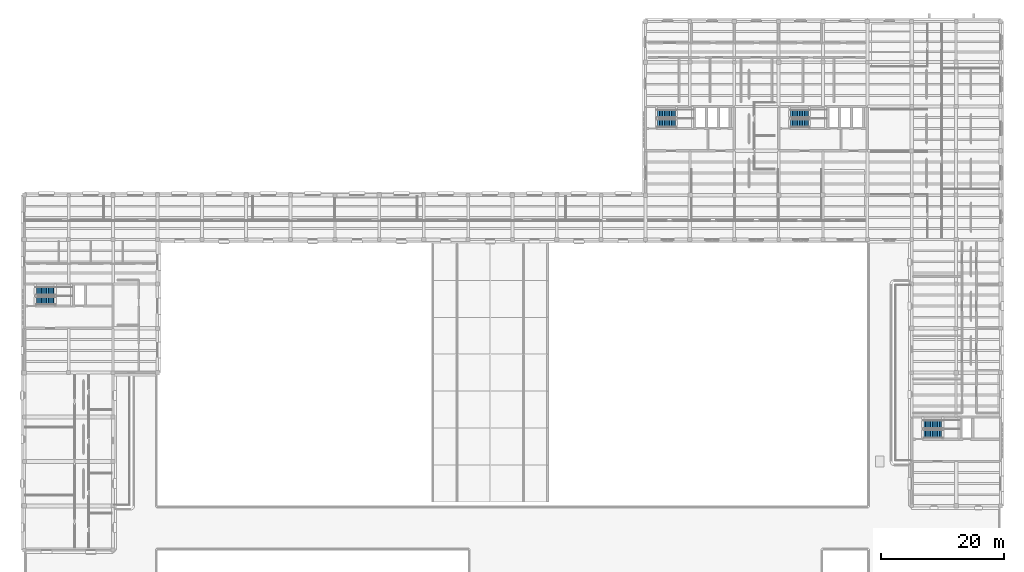
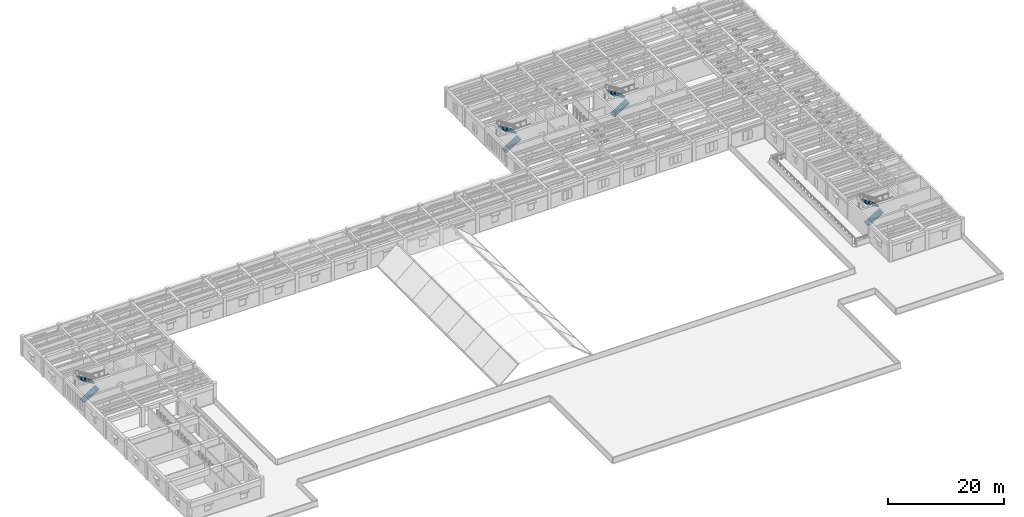
# One storey, part 30 of 40: 8 stair flights, 4 elements without a shape of their own.
"""IFC4 building model written with IfcOpenShell, lengths in metres."""

from ifc_helpers import new_model, si_unit, direction, frame, origin, place, context, subcontext, project, spatial, polyline, outline, extrude, material, type_object, element, aggregate, save


model = new_model("IFC4")

# Units and contexts
model_context = context("Model", 3, precision=1e-05, world=origin(), true_north=direction((0.0, 1.0)))
body_context = subcontext(model_context, "Body", "Model", "MODEL_VIEW")
ifc_project = project(units=[si_unit("LENGTHUNIT", "METRE"), si_unit("AREAUNIT", "SQUARE_METRE"), si_unit("VOLUMEUNIT", "CUBIC_METRE"), si_unit("PLANEANGLEUNIT", "RADIAN"), si_unit("MASSUNIT", "GRAM", prefix="KILO")], contexts=[model_context])

# Site, building, storey
site_placement = place(None, origin())
site = spatial("IfcSite", under=ifc_project, at=site_placement, CompositionType="ELEMENT")
building_placement = place(site_placement, origin())
building = spatial("IfcBuilding", under=site, at=building_placement, Name="Mithqara Police Headquarters", CompositionType="ELEMENT")
storey_placement = place(building_placement, frame((0.0, 0.0, 13.800048828125)))
storey = spatial("IfcBuildingStorey", under=building, at=storey_placement, Name="L03", CompositionType="ELEMENT", Elevation=13.800048828125)

# Stair, stair flights
ifc_material = material(Name="Concrete C40/50", Category="concrete")
stair_type_1 = type_object("IfcStairType", Name="STAIR ST 01-R24", PredefinedType="HALF_TURN_STAIR", material=ifc_material)
stair_1_placement = place(storey_placement, origin())
stair_1 = element("IfcStair", 1, at=stair_1_placement, inside=storey, type_object=stair_type_1, Name="L03 Core C1 Command West Exit Stair", PredefinedType="HALF_TURN_STAIR")
stair_flight_type_1 = type_object("IfcStairFlightType", Name="STAIR FLIGHT ST 01 F R12", PredefinedType="STRAIGHT", material=ifc_material)
stair_flight_1_placement = place(storey_placement, frame((110.550048828125, 97.47509765625, 0.0), z_axis=(0.0, 0.0, 1.0), x_axis=(1.0, 0.0, 0.0)))
stair_flight_1 = element("IfcStairFlight", 2, at=stair_flight_1_placement, type_object=stair_flight_type_1, Name="ST-01 flight 1", NumberOfRisers=12, NumberOfTreads=11, PredefinedType="STRAIGHT", RiserHeight=0.175, TreadLength=0.28, context=body_context, shape_type="SweptSolid", body=[
    extrude(outline(polyline([(0.0, 0.0), (0.0, 0.175048828125), (0.280029296875, 0.175048828125), (0.280029296875, 0.35009765625), (0.56005859375, 0.35009765625), (0.56005859375, 0.52490234375), (0.840087890625, 0.52490234375), (0.840087890625, 0.699951171875), (1.1201171875, 0.699951171875), (1.1201171875, 0.875), (1.39990234375, 0.875), (1.39990234375, 1.050048828125), (1.679931640625, 1.050048828125), (1.679931640625, 1.22509765625), (1.9599609375, 1.22509765625), (1.9599609375, 1.39990234375), (2.239990234375, 1.39990234375), (2.239990234375, 1.574951171875), (2.52001953125, 1.574951171875), (2.52001953125, 1.75), (2.800048828125, 1.75), (2.800048828125, 1.925048828125), (3.080078125, 1.925048828125), (3.080078125, 2.10009765625), (3.080078125, 1.748291015625), (0.28271484375, 0.0), (0.0, 0.0)])), frame((0.0, 0.675048828125, 0.0), z_axis=(0.0, -1.0, 0.0), x_axis=(1.0, 0.0, 0.0)), (0.0, 0.0, 1.0), 1.35009765625),
])
stair_flight_2_placement = place(storey_placement, frame((113.6298828125, 99.02490234375, 2.099853515625), z_axis=(0.0, 0.0, 1.0), x_axis=(-1.0, 0.0, 0.0)))
stair_flight_2 = element("IfcStairFlight", 3, at=stair_flight_2_placement, type_object=stair_flight_type_1, Name="ST-01 flight 2", NumberOfRisers=12, NumberOfTreads=11, PredefinedType="STRAIGHT", RiserHeight=0.175, TreadLength=0.28, context=body_context, shape_type="SweptSolid", body=[
    extrude(outline(polyline([(0.0, 0.0), (0.0, 0.175048828125), (0.280029296875, 0.175048828125), (0.280029296875, 0.35009765625), (0.56005859375, 0.35009765625), (0.56005859375, 0.52490234375), (0.840087890625, 0.52490234375), (0.840087890625, 0.699951171875), (1.1201171875, 0.699951171875), (1.1201171875, 0.875), (1.39990234375, 0.875), (1.39990234375, 1.050048828125), (1.679931640625, 1.050048828125), (1.679931640625, 1.22509765625), (1.9599609375, 1.22509765625), (1.9599609375, 1.39990234375), (2.239990234375, 1.39990234375), (2.239990234375, 1.574951171875), (2.52001953125, 1.574951171875), (2.52001953125, 1.75), (2.800048828125, 1.75), (2.800048828125, 1.925048828125), (3.080078125, 1.925048828125), (3.080078125, 2.10009765625), (3.080078125, 1.748291015625), (0.28271484375, 0.0), (0.0, 0.0)])), frame((0.0, 0.675048828125, 0.0), z_axis=(0.0, -1.0, 0.0), x_axis=(1.0, 0.0, 0.0)), (0.0, 0.0, 1.0), 1.35009765625),
])
aggregate(stair_1, [stair_flight_1, stair_flight_2])

stair_type_2 = type_object("IfcStairType", Name="STAIR ST 02-R24", PredefinedType="HALF_TURN_STAIR", material=ifc_material)
stair_2_placement = place(storey_placement, origin())
stair_2 = element("IfcStair", 4, at=stair_2_placement, inside=storey, type_object=stair_type_2, Name="L03 Core C2 Command East Exit Stair", PredefinedType="HALF_TURN_STAIR")
stair_flight_type_2 = type_object("IfcStairFlightType", Name="STAIR FLIGHT ST 02 F R12", PredefinedType="STRAIGHT", material=ifc_material)
stair_flight_3_placement = place(storey_placement, frame((132.14990234375, 97.47509765625, 0.0), z_axis=(0.0, 0.0, 1.0), x_axis=(1.0, 0.0, 0.0)))
stair_flight_3 = element("IfcStairFlight", 5, at=stair_flight_3_placement, type_object=stair_flight_type_2, Name="ST-02 flight 1", NumberOfRisers=12, NumberOfTreads=11, PredefinedType="STRAIGHT", RiserHeight=0.175, TreadLength=0.28, context=body_context, shape_type="SweptSolid", body=[
    extrude(outline(polyline([(0.0, 0.0), (0.0, 0.175048828125), (0.280029296875, 0.175048828125), (0.280029296875, 0.35009765625), (0.56005859375, 0.35009765625), (0.56005859375, 0.52490234375), (0.840087890625, 0.52490234375), (0.840087890625, 0.699951171875), (1.1201171875, 0.699951171875), (1.1201171875, 0.875), (1.39990234375, 0.875), (1.39990234375, 1.050048828125), (1.679931640625, 1.050048828125), (1.679931640625, 1.22509765625), (1.9599609375, 1.22509765625), (1.9599609375, 1.39990234375), (2.239990234375, 1.39990234375), (2.239990234375, 1.574951171875), (2.52001953125, 1.574951171875), (2.52001953125, 1.75), (2.800048828125, 1.75), (2.800048828125, 1.925048828125), (3.080078125, 1.925048828125), (3.080078125, 2.10009765625), (3.080078125, 1.748291015625), (0.28271484375, 0.0), (0.0, 0.0)])), frame((0.0, 0.675048828125, 0.0), z_axis=(0.0, -1.0, 0.0), x_axis=(1.0, 0.0, 0.0)), (0.0, 0.0, 1.0), 1.35009765625),
])
stair_flight_4_placement = place(storey_placement, frame((135.22998046875, 99.02490234375, 2.099853515625), z_axis=(0.0, 0.0, 1.0), x_axis=(-1.0, 0.0, 0.0)))
stair_flight_4 = element("IfcStairFlight", 6, at=stair_flight_4_placement, type_object=stair_flight_type_2, Name="ST-02 flight 2", NumberOfRisers=12, NumberOfTreads=11, PredefinedType="STRAIGHT", RiserHeight=0.175, TreadLength=0.28, context=body_context, shape_type="SweptSolid", body=[
    extrude(outline(polyline([(0.0, 0.0), (0.0, 0.175048828125), (0.280029296875, 0.175048828125), (0.280029296875, 0.35009765625), (0.56005859375, 0.35009765625), (0.56005859375, 0.52490234375), (0.840087890625, 0.52490234375), (0.840087890625, 0.699951171875), (1.1201171875, 0.699951171875), (1.1201171875, 0.875), (1.39990234375, 0.875), (1.39990234375, 1.050048828125), (1.679931640625, 1.050048828125), (1.679931640625, 1.22509765625), (1.9599609375, 1.22509765625), (1.9599609375, 1.39990234375), (2.239990234375, 1.39990234375), (2.239990234375, 1.574951171875), (2.52001953125, 1.574951171875), (2.52001953125, 1.75), (2.800048828125, 1.75), (2.800048828125, 1.925048828125), (3.080078125, 1.925048828125), (3.080078125, 2.10009765625), (3.080078125, 1.748291015625), (0.28271484375, 0.0), (0.0, 0.0)])), frame((0.0, 0.675048828125, 0.0), z_axis=(0.0, -1.0, 0.0), x_axis=(1.0, 0.0, 0.0)), (0.0, 0.0, 1.0), 1.35009765625),
])
aggregate(stair_2, [stair_flight_3, stair_flight_4])

stair_type_3 = type_object("IfcStairType", Name="STAIR ST 03-R24", PredefinedType="HALF_TURN_STAIR", material=ifc_material)
stair_3_placement = place(storey_placement, origin())
stair_3 = element("IfcStair", 7, at=stair_3_placement, inside=storey, type_object=stair_type_3, Name="L03 Core C3 Operations West Exit Stair", PredefinedType="HALF_TURN_STAIR")
stair_flight_type_3 = type_object("IfcStairFlightType", Name="STAIR FLIGHT ST 03 F R12", PredefinedType="STRAIGHT", material=ifc_material)
stair_flight_5_placement = place(storey_placement, frame((9.75, 68.675048828125, 0.0), z_axis=(0.0, 0.0, 1.0), x_axis=(1.0, 0.0, 0.0)))
stair_flight_5 = element("IfcStairFlight", 8, at=stair_flight_5_placement, type_object=stair_flight_type_3, Name="ST-03 flight 1", NumberOfRisers=12, NumberOfTreads=11, PredefinedType="STRAIGHT", RiserHeight=0.175, TreadLength=0.28, context=body_context, shape_type="SweptSolid", body=[
    extrude(outline(polyline([(0.0, 0.0), (0.0, 0.175048828125), (0.280029296875, 0.175048828125), (0.280029296875, 0.35009765625), (0.56005859375, 0.35009765625), (0.56005859375, 0.52490234375), (0.840087890625, 0.52490234375), (0.840087890625, 0.699951171875), (1.1201171875, 0.699951171875), (1.1201171875, 0.875), (1.39990234375, 0.875), (1.39990234375, 1.050048828125), (1.679931640625, 1.050048828125), (1.679931640625, 1.22509765625), (1.9599609375, 1.22509765625), (1.9599609375, 1.39990234375), (2.239990234375, 1.39990234375), (2.239990234375, 1.574951171875), (2.52001953125, 1.574951171875), (2.52001953125, 1.75), (2.800048828125, 1.75), (2.800048828125, 1.925048828125), (3.080078125, 1.925048828125), (3.080078125, 2.10009765625), (3.080078125, 1.748291015625), (0.28271484375, 0.0), (0.0, 0.0)])), frame((0.0, 0.675048828125, 0.0), z_axis=(0.0, -1.0, 0.0), x_axis=(1.0, 0.0, 0.0)), (0.0, 0.0, 1.0), 1.35009765625),
])
stair_flight_6_placement = place(storey_placement, frame((12.830078125, 70.22509765625, 2.099853515625), z_axis=(0.0, 0.0, 1.0), x_axis=(-1.0, 0.0, 0.0)))
stair_flight_6 = element("IfcStairFlight", 9, at=stair_flight_6_placement, type_object=stair_flight_type_3, Name="ST-03 flight 2", NumberOfRisers=12, NumberOfTreads=11, PredefinedType="STRAIGHT", RiserHeight=0.175, TreadLength=0.28, context=body_context, shape_type="SweptSolid", body=[
    extrude(outline(polyline([(0.0, 0.0), (0.0, 0.175048828125), (0.280029296875, 0.175048828125), (0.280029296875, 0.35009765625), (0.56005859375, 0.35009765625), (0.56005859375, 0.52490234375), (0.840087890625, 0.52490234375), (0.840087890625, 0.699951171875), (1.1201171875, 0.699951171875), (1.1201171875, 0.875), (1.39990234375, 0.875), (1.39990234375, 1.050048828125), (1.679931640625, 1.050048828125), (1.679931640625, 1.22509765625), (1.9599609375, 1.22509765625), (1.9599609375, 1.39990234375), (2.239990234375, 1.39990234375), (2.239990234375, 1.574951171875), (2.52001953125, 1.574951171875), (2.52001953125, 1.75), (2.800048828125, 1.75), (2.800048828125, 1.925048828125), (3.080078125, 1.925048828125), (3.080078125, 2.10009765625), (3.080078125, 1.748291015625), (0.28271484375, 0.0), (0.0, 0.0)])), frame((0.0, 0.675048828125, 0.0), z_axis=(0.0, -1.0, 0.0), x_axis=(1.0, 0.0, 0.0)), (0.0, 0.0, 1.0), 1.35009765625),
])
aggregate(stair_3, [stair_flight_5, stair_flight_6])

stair_type_4 = type_object("IfcStairType", Name="STAIR ST 04-R24", PredefinedType="HALF_TURN_STAIR", material=ifc_material)
stair_4_placement = place(storey_placement, origin())
stair_4 = element("IfcStair", 10, at=stair_4_placement, inside=storey, type_object=stair_type_4, Name="L03 Core C4 Forensics East Exit Stair", PredefinedType="HALF_TURN_STAIR")
stair_flight_type_4 = type_object("IfcStairFlightType", Name="STAIR FLIGHT ST 04 F R12", PredefinedType="STRAIGHT", material=ifc_material)
stair_flight_7_placement = place(storey_placement, frame((153.75, 47.074951171875, 0.0), z_axis=(0.0, 0.0, 1.0), x_axis=(1.0, 0.0, 0.0)))
stair_flight_7 = element("IfcStairFlight", 11, at=stair_flight_7_placement, type_object=stair_flight_type_4, Name="ST-04 flight 1", NumberOfRisers=12, NumberOfTreads=11, PredefinedType="STRAIGHT", RiserHeight=0.175, TreadLength=0.28, context=body_context, shape_type="SweptSolid", body=[
    extrude(outline(polyline([(0.0, 0.0), (0.0, 0.175048828125), (0.280029296875, 0.175048828125), (0.280029296875, 0.35009765625), (0.56005859375, 0.35009765625), (0.56005859375, 0.52490234375), (0.840087890625, 0.52490234375), (0.840087890625, 0.699951171875), (1.1201171875, 0.699951171875), (1.1201171875, 0.875), (1.39990234375, 0.875), (1.39990234375, 1.050048828125), (1.679931640625, 1.050048828125), (1.679931640625, 1.22509765625), (1.9599609375, 1.22509765625), (1.9599609375, 1.39990234375), (2.239990234375, 1.39990234375), (2.239990234375, 1.574951171875), (2.52001953125, 1.574951171875), (2.52001953125, 1.75), (2.800048828125, 1.75), (2.800048828125, 1.925048828125), (3.080078125, 1.925048828125), (3.080078125, 2.10009765625), (3.080078125, 1.748291015625), (0.28271484375, 0.0), (0.0, 0.0)])), frame((0.0, 0.675048828125, 0.0), z_axis=(0.0, -1.0, 0.0), x_axis=(1.0, 0.0, 0.0)), (0.0, 0.0, 1.0), 1.35009765625),
])
stair_flight_8_placement = place(storey_placement, frame((156.830078125, 48.625, 2.099853515625), z_axis=(0.0, 0.0, 1.0), x_axis=(-1.0, 0.0, 0.0)))
stair_flight_8 = element("IfcStairFlight", 12, at=stair_flight_8_placement, type_object=stair_flight_type_4, Name="ST-04 flight 2", NumberOfRisers=12, NumberOfTreads=11, PredefinedType="STRAIGHT", RiserHeight=0.175, TreadLength=0.28, context=body_context, shape_type="SweptSolid", body=[
    extrude(outline(polyline([(0.0, 0.0), (0.0, 0.175048828125), (0.280029296875, 0.175048828125), (0.280029296875, 0.35009765625), (0.56005859375, 0.35009765625), (0.56005859375, 0.52490234375), (0.840087890625, 0.52490234375), (0.840087890625, 0.699951171875), (1.1201171875, 0.699951171875), (1.1201171875, 0.875), (1.39990234375, 0.875), (1.39990234375, 1.050048828125), (1.679931640625, 1.050048828125), (1.679931640625, 1.22509765625), (1.9599609375, 1.22509765625), (1.9599609375, 1.39990234375), (2.239990234375, 1.39990234375), (2.239990234375, 1.574951171875), (2.52001953125, 1.574951171875), (2.52001953125, 1.75), (2.800048828125, 1.75), (2.800048828125, 1.925048828125), (3.080078125, 1.925048828125), (3.080078125, 2.10009765625), (3.080078125, 1.748291015625), (0.28271484375, 0.0), (0.0, 0.0)])), frame((0.0, 0.675048828125, 0.0), z_axis=(0.0, -1.0, 0.0), x_axis=(1.0, 0.0, 0.0)), (0.0, 0.0, 1.0), 1.35009765625),
])
aggregate(stair_4, [stair_flight_7, stair_flight_8])

save(model, "model.ifc")
